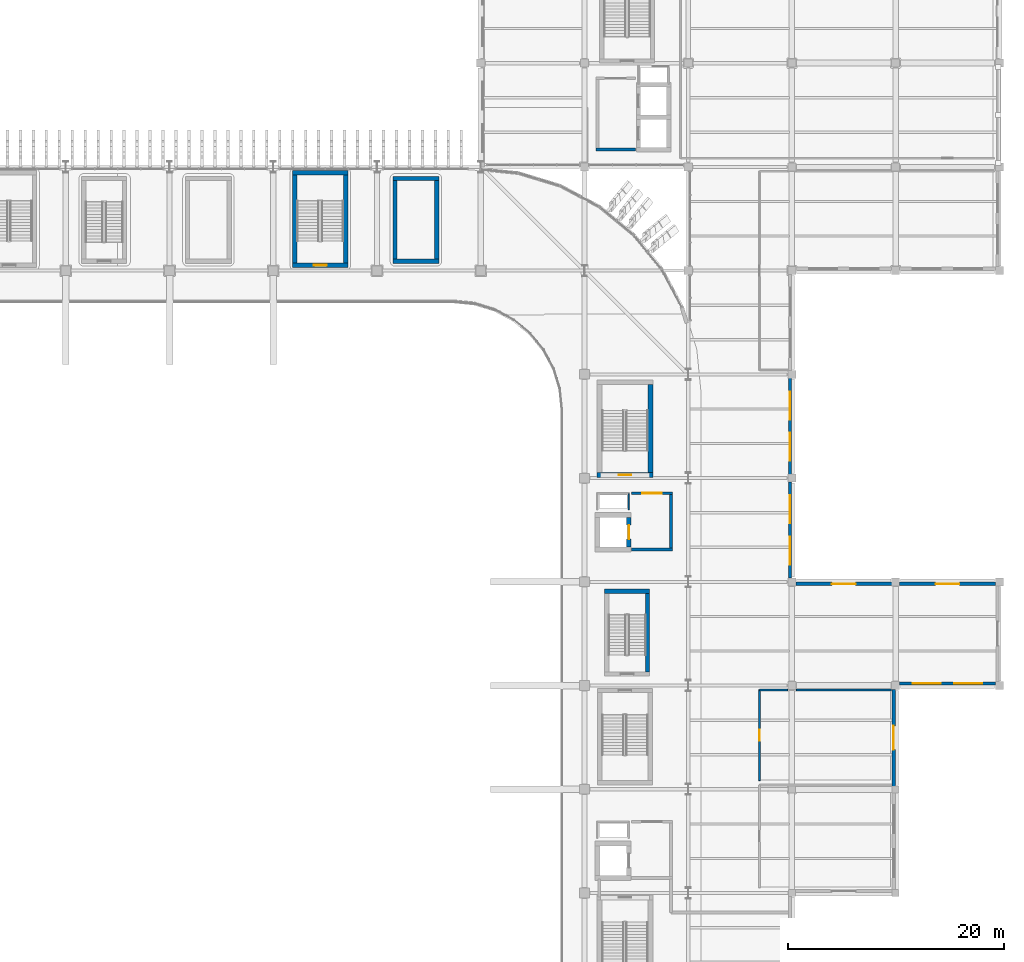
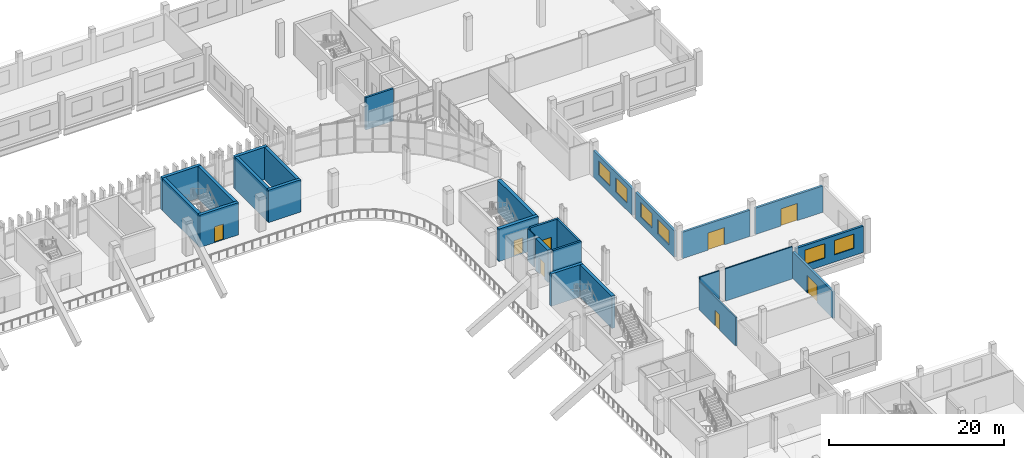
# One storey, part 56 of 100: 27 walls, 8 doors, 6 windows, 14 openings.
"""IFC4 building model written with IfcOpenShell, lengths in metres."""

from ifc_helpers import new_model, si_unit, direction, frame, frame_2d, origin, place, context, subcontext, project, spatial, rectangle, extrude, material, layer, layer_set, type_object, element, fill, save


model = new_model("IFC4")

# Units and contexts
model_context = context("Model", 3, precision=1e-05, world=origin(), true_north=direction((0.0, 1.0)))
body_context = subcontext(model_context, "Body", "Model", "MODEL_VIEW")
ifc_project = project(units=[si_unit("LENGTHUNIT", "METRE"), si_unit("AREAUNIT", "SQUARE_METRE"), si_unit("VOLUMEUNIT", "CUBIC_METRE"), si_unit("PLANEANGLEUNIT", "RADIAN"), si_unit("MASSUNIT", "GRAM", prefix="KILO")], contexts=[model_context])

# Site, building, storey
site_placement = place(None, origin())
site = spatial("IfcSite", under=ifc_project, at=site_placement, CompositionType="ELEMENT")
building_placement = place(site_placement, origin())
building = spatial("IfcBuilding", under=site, at=building_placement, Name="Caelomonte Colonnade Arena", CompositionType="ELEMENT")
storey_placement = place(building_placement, origin())
storey = spatial("IfcBuildingStorey", under=building, at=storey_placement, Name="L00", CompositionType="ELEMENT", Elevation=0.0)

# Wall, opening, door
ifc_material_1 = material(Name="Precast concrete C40/50", Category="concrete")
ifc_layer_1 = layer(ifc_material_1, 0.2900390625)
ifc_layer_set_1 = layer_set([ifc_layer_1], Name="Precast concrete C40/50")
wall_type_1 = type_object("IfcWallType", Name="ENV-WL-EXT29", PredefinedType="SOLIDWALL", material=ifc_layer_set_1)
wall_1_placement = place(storey_placement, frame((182.219970703125, 57.60009765625, 0.0), z_axis=(0.0, 0.0, 1.0), x_axis=(0.0, 1.0, 0.0)))
wall_1 = element("IfcWall", 1, at=wall_1_placement, inside=storey, type_object=wall_type_1, Name="L00 exterior wall EW-L00-0138", PredefinedType="SOLIDWALL", context=body_context, shape_type="SweptSolid", body=[
    extrude(rectangle(XDim=9.244873046875, YDim=0.2900390625, at=frame_2d((4.62255859375, 0.0))), origin(), (0.0, 0.0, 1.0), 3.699951171875),
])
opening_1_placement = place(wall_1_placement, frame((5.874755859375, 0.0, 0.0), z_axis=(0.0, 0.0, 1.0), x_axis=(-1.0, 0.0, 0.0)))
opening_1 = element("IfcOpeningElement", 2, at=opening_1_placement, cuts=wall_1, Name="Opening G17", PredefinedType="OPENING", context=body_context, shape_type="SweptSolid", body=[
    extrude(rectangle(XDim=2.199951171875, YDim=2.39990234375, at=frame_2d((1.10009765625, 1.199951171875))), frame((0.0, 0.155029296875, 0.0), z_axis=(0.0, -1.0, 0.0), x_axis=(1.0, 0.0, 0.0)), (0.0, 0.0, 1.0), 0.31005859375),
])
ifc_material_2 = material(Name="Painted galvanized hollow metal")
door_type_1 = type_object("IfcDoorType", Name="ENV-DR-G2", OperationType="DOUBLE_DOOR_SINGLE_SWING", PredefinedType="DOOR", material=ifc_material_2)
door_1_placement = place(opening_1_placement, origin())
door_1 = element("IfcDoor", 3, at=door_1_placement, inside=storey, type_object=door_type_1, Name="Pedestrian exit gate G17", OperationType="DOUBLE_DOOR_SINGLE_SWING", OverallHeight=2.39990234375, OverallWidth=2.199951171875, PredefinedType="DOOR", context=body_context, shape_type="SweptSolid", body=[
    extrude(rectangle(XDim=2.199951171875, YDim=2.39990234375, at=frame_2d((1.10009765625, 1.199951171875))), frame((0.0, 0.02490234375, 0.0), z_axis=(0.0, -1.0, 0.0), x_axis=(1.0, 0.0, 0.0)), (0.0, 0.0, 1.0), 0.050048828125),
])
fill(opening_1, door_1)

# Wall, openings, windows
wall_2_placement = place(storey_placement, frame((182.7548828125, 67.3798828125, 0.0), z_axis=(0.0, 0.0, 1.0), x_axis=(1.0, 0.0, 0.0)))
wall_2 = element("IfcWall", 4, at=wall_2_placement, inside=storey, type_object=wall_type_1, Name="L00 exterior wall EW-L00-0139", PredefinedType="SOLIDWALL", context=body_context, shape_type="SweptSolid", body=[
    extrude(rectangle(XDim=8.89013671875, YDim=0.2900390625, at=frame_2d((4.445068359375, 0.0))), origin(), (0.0, 0.0, 1.0), 3.664306640625),
])
opening_2_placement = place(wall_2_placement, frame((3.830078125, 0.0, 1.0), z_axis=(0.0, 0.0, 1.0), x_axis=(-1.0, 0.0, 0.0)))
opening_2 = element("IfcOpeningElement", 5, at=opening_2_placement, cuts=wall_2, Name="Opening WN-10", PredefinedType="OPENING", context=body_context, shape_type="SweptSolid", body=[
    extrude(rectangle(XDim=2.60009765625, YDim=2.0, at=frame_2d((1.300048828125, 1.0))), frame((0.0, 0.155029296875, 0.0), z_axis=(0.0, -1.0, 0.0), x_axis=(1.0, 0.0, 0.0)), (0.0, 0.0, 1.0), 0.31005859375),
])
opening_3_placement = place(wall_2_placement, frame((7.66015625, 0.0, 1.0), z_axis=(0.0, 0.0, 1.0), x_axis=(-1.0, 0.0, 0.0)))
opening_3 = element("IfcOpeningElement", 6, at=opening_3_placement, cuts=wall_2, Name="Opening WN-10", PredefinedType="OPENING", context=body_context, shape_type="SweptSolid", body=[
    extrude(rectangle(XDim=2.60009765625, YDim=2.0, at=frame_2d((1.300048828125, 1.0))), frame((0.0, 0.155029296875, 0.0), z_axis=(0.0, -1.0, 0.0), x_axis=(1.0, 0.0, 0.0)), (0.0, 0.0, 1.0), 0.31005859375),
])
ifc_material_3 = material(Name="Solar-control bronze low-E double glazing", Category="glass")
window_type = type_object("IfcWindowType", Name="ENV-WN-V4G", PartitioningType="TRIPLE_PANEL_VERTICAL", PredefinedType="WINDOW", material=ifc_material_3)
window_1_placement = place(opening_2_placement, origin())
window_1 = element("IfcWindow", 7, at=window_1_placement, inside=storey, type_object=window_type, Name="L00 facade window 7", OverallHeight=2.0, OverallWidth=2.60009765625, PartitioningType="SINGLE_PANEL", PredefinedType="WINDOW", context=body_context, shape_type="SweptSolid", body=[
    extrude(rectangle(XDim=2.60009765625, YDim=2.0, at=frame_2d((1.300048828125, 1.0))), frame((0.0, 0.030029296875, 0.0), z_axis=(0.0, -1.0, 0.0), x_axis=(1.0, 0.0, 0.0)), (0.0, 0.0, 1.0), 0.06005859375),
])
fill(opening_2, window_1)
window_2_placement = place(opening_3_placement, origin())
window_2 = element("IfcWindow", 8, at=window_2_placement, inside=storey, type_object=window_type, Name="L00 facade window 8", OverallHeight=2.0, OverallWidth=2.60009765625, PartitioningType="SINGLE_PANEL", PredefinedType="WINDOW", context=body_context, shape_type="SweptSolid", body=[
    extrude(rectangle(XDim=2.60009765625, YDim=2.0, at=frame_2d((1.300048828125, 1.0))), frame((0.0, 0.030029296875, 0.0), z_axis=(0.0, -1.0, 0.0), x_axis=(1.0, 0.0, 0.0)), (0.0, 0.0, 1.0), 0.06005859375),
])
fill(opening_3, window_2)

# Wall, opening, door
wall_3_placement = place(storey_placement, frame((191.64501953125, 76.6201171875, 0.0), z_axis=(0.0, 0.0, 1.0), x_axis=(-1.0, 0.0, 0.0)))
wall_3 = element("IfcWall", 9, at=wall_3_placement, inside=storey, type_object=wall_type_1, Name="L00 exterior wall EW-L00-0141", PredefinedType="SOLIDWALL", context=body_context, shape_type="SweptSolid", body=[
    extrude(rectangle(XDim=8.89013671875, YDim=0.2900390625, at=frame_2d((4.445068359375, 0.0))), origin(), (0.0, 0.0, 1.0), 3.664306640625),
])
opening_4_placement = place(wall_3_placement, frame((5.544921875, 0.0, 0.0), z_axis=(0.0, 0.0, 1.0), x_axis=(-1.0, 0.0, 0.0)))
opening_4 = element("IfcOpeningElement", 10, at=opening_4_placement, cuts=wall_3, Name="Opening G19", PredefinedType="OPENING", context=body_context, shape_type="SweptSolid", body=[
    extrude(rectangle(XDim=2.199951171875, YDim=2.39990234375, at=frame_2d((1.10009765625, 1.199951171875))), frame((0.0, 0.155029296875, 0.0), z_axis=(0.0, -1.0, 0.0), x_axis=(1.0, 0.0, 0.0)), (0.0, 0.0, 1.0), 0.31005859375),
])
door_2_placement = place(opening_4_placement, origin())
door_2 = element("IfcDoor", 11, at=door_2_placement, inside=storey, type_object=door_type_1, Name="Pedestrian exit gate G19", OperationType="DOUBLE_DOOR_SINGLE_SWING", OverallHeight=2.39990234375, OverallWidth=2.199951171875, PredefinedType="DOOR", context=body_context, shape_type="SweptSolid", body=[
    extrude(rectangle(XDim=2.199951171875, YDim=2.39990234375, at=frame_2d((1.10009765625, 1.199951171875))), frame((0.0, 0.02490234375, 0.0), z_axis=(0.0, -1.0, 0.0), x_axis=(1.0, 0.0, 0.0)), (0.0, 0.0, 1.0), 0.050048828125),
])
fill(opening_4, door_2)

wall_4_placement = place(storey_placement, frame((182.044921875, 76.6201171875, 0.0), z_axis=(0.0, 0.0, 1.0), x_axis=(-1.0, 0.0, 0.0)))
wall_4 = element("IfcWall", 12, at=wall_4_placement, inside=storey, type_object=wall_type_1, Name="L00 exterior wall EW-L00-0142", PredefinedType="SOLIDWALL", context=body_context, shape_type="SweptSolid", body=[
    extrude(rectangle(XDim=8.889892578125, YDim=0.2900390625, at=frame_2d((4.44482421875, 0.0))), origin(), (0.0, 0.0, 1.0), 3.664306640625),
])
opening_5_placement = place(wall_4_placement, frame((5.544921875, 0.0, 0.0), z_axis=(0.0, 0.0, 1.0), x_axis=(-1.0, 0.0, 0.0)))
opening_5 = element("IfcOpeningElement", 13, at=opening_5_placement, cuts=wall_4, Name="Opening G20", PredefinedType="OPENING", context=body_context, shape_type="SweptSolid", body=[
    extrude(rectangle(XDim=2.199951171875, YDim=2.39990234375, at=frame_2d((1.10009765625, 1.199951171875))), frame((0.0, 0.155029296875, 0.0), z_axis=(0.0, -1.0, 0.0), x_axis=(1.0, 0.0, 0.0)), (0.0, 0.0, 1.0), 0.31005859375),
])
door_3_placement = place(opening_5_placement, origin())
door_3 = element("IfcDoor", 14, at=door_3_placement, inside=storey, type_object=door_type_1, Name="Pedestrian exit gate G20", OperationType="DOUBLE_DOOR_SINGLE_SWING", OverallHeight=2.39990234375, OverallWidth=2.199951171875, PredefinedType="DOOR", context=body_context, shape_type="SweptSolid", body=[
    extrude(rectangle(XDim=2.199951171875, YDim=2.39990234375, at=frame_2d((1.10009765625, 1.199951171875))), frame((0.0, 0.02490234375, 0.0), z_axis=(0.0, -1.0, 0.0), x_axis=(1.0, 0.0, 0.0)), (0.0, 0.0, 1.0), 0.050048828125),
])
fill(opening_5, door_3)

# Wall, openings, windows
wall_5_placement = place(storey_placement, frame((172.6201171875, 77.155029296875, 0.0), z_axis=(0.0, 0.0, 1.0), x_axis=(0.0, 1.0, 0.0)))
wall_5 = element("IfcWall", 15, at=wall_5_placement, inside=storey, type_object=wall_type_1, Name="L00 exterior wall EW-L00-0143", PredefinedType="SOLIDWALL", context=body_context, shape_type="SweptSolid", body=[
    extrude(rectangle(XDim=8.889892578125, YDim=0.2900390625, at=frame_2d((4.44482421875, 0.0))), origin(), (0.0, 0.0, 1.0), 3.699951171875),
])
opening_6_placement = place(wall_5_placement, frame((3.830078125, 0.0, 1.0), z_axis=(0.0, 0.0, 1.0), x_axis=(-1.0, 0.0, 0.0)))
opening_6 = element("IfcOpeningElement", 16, at=opening_6_placement, cuts=wall_5, Name="Opening WN-10", PredefinedType="OPENING", context=body_context, shape_type="SweptSolid", body=[
    extrude(rectangle(XDim=2.60009765625, YDim=2.0, at=frame_2d((1.300048828125, 1.0))), frame((0.0, 0.155029296875, 0.0), z_axis=(0.0, -1.0, 0.0), x_axis=(1.0, 0.0, 0.0)), (0.0, 0.0, 1.0), 0.31005859375),
])
opening_7_placement = place(wall_5_placement, frame((7.66015625, 0.0, 1.0), z_axis=(0.0, 0.0, 1.0), x_axis=(-1.0, 0.0, 0.0)))
opening_7 = element("IfcOpeningElement", 17, at=opening_7_placement, cuts=wall_5, Name="Opening WN-10", PredefinedType="OPENING", context=body_context, shape_type="SweptSolid", body=[
    extrude(rectangle(XDim=2.60009765625, YDim=2.0, at=frame_2d((1.300048828125, 1.0))), frame((0.0, 0.155029296875, 0.0), z_axis=(0.0, -1.0, 0.0), x_axis=(1.0, 0.0, 0.0)), (0.0, 0.0, 1.0), 0.31005859375),
])
window_3_placement = place(opening_6_placement, origin())
window_3 = element("IfcWindow", 18, at=window_3_placement, inside=storey, type_object=window_type, Name="L00 facade window 9", OverallHeight=2.0, OverallWidth=2.60009765625, PartitioningType="SINGLE_PANEL", PredefinedType="WINDOW", context=body_context, shape_type="SweptSolid", body=[
    extrude(rectangle(XDim=2.60009765625, YDim=2.0, at=frame_2d((1.300048828125, 1.0))), frame((0.0, 0.030029296875, 0.0), z_axis=(0.0, -1.0, 0.0), x_axis=(1.0, 0.0, 0.0)), (0.0, 0.0, 1.0), 0.06005859375),
])
fill(opening_6, window_3)
window_4_placement = place(opening_7_placement, origin())
window_4 = element("IfcWindow", 19, at=window_4_placement, inside=storey, type_object=window_type, Name="L00 facade window 10", OverallHeight=2.0, OverallWidth=2.60009765625, PartitioningType="SINGLE_PANEL", PredefinedType="WINDOW", context=body_context, shape_type="SweptSolid", body=[
    extrude(rectangle(XDim=2.60009765625, YDim=2.0, at=frame_2d((1.300048828125, 1.0))), frame((0.0, 0.030029296875, 0.0), z_axis=(0.0, -1.0, 0.0), x_axis=(1.0, 0.0, 0.0)), (0.0, 0.0, 1.0), 0.06005859375),
])
fill(opening_7, window_4)

wall_6_placement = place(storey_placement, frame((172.6201171875, 86.7548828125, 0.0), z_axis=(0.0, 0.0, 1.0), x_axis=(0.0, 1.0, 0.0)))
wall_6 = element("IfcWall", 20, at=wall_6_placement, inside=storey, type_object=wall_type_1, Name="L00 exterior wall EW-L00-0144", PredefinedType="SOLIDWALL", context=body_context, shape_type="SweptSolid", body=[
    extrude(rectangle(XDim=8.89013671875, YDim=0.2900390625, at=frame_2d((4.445068359375, 0.0))), origin(), (0.0, 0.0, 1.0), 3.699951171875),
])
opening_8_placement = place(wall_6_placement, frame((3.830078125, 0.0, 1.0), z_axis=(0.0, 0.0, 1.0), x_axis=(-1.0, 0.0, 0.0)))
opening_8 = element("IfcOpeningElement", 21, at=opening_8_placement, cuts=wall_6, Name="Opening WN-10", PredefinedType="OPENING", context=body_context, shape_type="SweptSolid", body=[
    extrude(rectangle(XDim=2.60009765625, YDim=2.0, at=frame_2d((1.300048828125, 1.0))), frame((0.0, 0.155029296875, 0.0), z_axis=(0.0, -1.0, 0.0), x_axis=(1.0, 0.0, 0.0)), (0.0, 0.0, 1.0), 0.31005859375),
])
opening_9_placement = place(wall_6_placement, frame((7.66015625, 0.0, 1.0), z_axis=(0.0, 0.0, 1.0), x_axis=(-1.0, 0.0, 0.0)))
opening_9 = element("IfcOpeningElement", 22, at=opening_9_placement, cuts=wall_6, Name="Opening WN-10", PredefinedType="OPENING", context=body_context, shape_type="SweptSolid", body=[
    extrude(rectangle(XDim=2.60009765625, YDim=2.0, at=frame_2d((1.300048828125, 1.0))), frame((0.0, 0.155029296875, 0.0), z_axis=(0.0, -1.0, 0.0), x_axis=(1.0, 0.0, 0.0)), (0.0, 0.0, 1.0), 0.31005859375),
])
window_5_placement = place(opening_8_placement, origin())
window_5 = element("IfcWindow", 23, at=window_5_placement, inside=storey, type_object=window_type, Name="L00 facade window 11", OverallHeight=2.0, OverallWidth=2.60009765625, PartitioningType="SINGLE_PANEL", PredefinedType="WINDOW", context=body_context, shape_type="SweptSolid", body=[
    extrude(rectangle(XDim=2.60009765625, YDim=2.0, at=frame_2d((1.300048828125, 1.0))), frame((0.0, 0.030029296875, 0.0), z_axis=(0.0, -1.0, 0.0), x_axis=(1.0, 0.0, 0.0)), (0.0, 0.0, 1.0), 0.06005859375),
])
fill(opening_8, window_5)
window_6_placement = place(opening_9_placement, origin())
window_6 = element("IfcWindow", 24, at=window_6_placement, inside=storey, type_object=window_type, Name="L00 facade window 12", OverallHeight=2.0, OverallWidth=2.60009765625, PartitioningType="SINGLE_PANEL", PredefinedType="WINDOW", context=body_context, shape_type="SweptSolid", body=[
    extrude(rectangle(XDim=2.60009765625, YDim=2.0, at=frame_2d((1.300048828125, 1.0))), frame((0.0, 0.030029296875, 0.0), z_axis=(0.0, -1.0, 0.0), x_axis=(1.0, 0.0, 0.0)), (0.0, 0.0, 1.0), 0.06005859375),
])
fill(opening_9, window_6)

# Wall
ifc_material_4 = material(Name="Concrete C40/50", Category="concrete")
ifc_layer_2 = layer(ifc_material_4, 0.260009765625)
ifc_layer_set_2 = layer_set([ifc_layer_2], Name="Concrete C40/50")
wall_type_2 = type_object("IfcWallType", Name="INT-WL-FW26", PredefinedType="SOLIDWALL", material=ifc_layer_set_2)
wall_7_placement = place(storey_placement, frame((157.969970703125, 79.800048828125, 0.0), z_axis=(0.0, 0.0, 1.0), x_axis=(1.0, 0.0, 0.0)))
element("IfcWall", 25, at=wall_7_placement, inside=storey, type_object=wall_type_2, Name="FW-C3-LB L00 south enclosure wall", PredefinedType="SOLIDWALL", context=body_context, shape_type="SweptSolid", body=[
    extrude(rectangle(XDim=3.760009765625, YDim=0.260009765625, at=frame_2d((1.8798828125, 0.0))), origin(), (0.0, 0.0, 1.0), 4.5),
])

# Wall, opening, door
wall_8_placement = place(storey_placement, frame((161.72998046875, 85.0, 0.0), z_axis=(0.0, 0.0, 1.0), x_axis=(-1.0, 0.0, 0.0)))
wall_8 = element("IfcWall", 26, at=wall_8_placement, inside=storey, type_object=wall_type_2, Name="FW-C3-LB L00 north enclosure wall", PredefinedType="SOLIDWALL", context=body_context, shape_type="SweptSolid", body=[
    extrude(rectangle(XDim=3.760009765625, YDim=0.260009765625, at=frame_2d((1.8798828125, 0.0))), origin(), (0.0, 0.0, 1.0), 4.5),
])
opening_10_placement = place(wall_8_placement, frame((2.80517578125, 0.0, 0.0), z_axis=(0.0, 0.0, 1.0), x_axis=(-1.0, 0.0, 0.0)))
opening_10 = element("IfcOpeningElement", 27, at=opening_10_placement, cuts=wall_8, Name="Opening FD-2", PredefinedType="OPENING", context=body_context, shape_type="SweptSolid", body=[
    extrude(rectangle(XDim=1.85009765625, YDim=2.25, at=frame_2d((0.925048828125, 1.125))), frame((0.0, 0.139892578125, 0.0), z_axis=(0.0, -1.0, 0.0), x_axis=(1.0, 0.0, 0.0)), (0.0, 0.0, 1.0), 0.280029296875),
])
ifc_material_5 = material(Name="Fire-rated double steel door", Category="steel")
door_type_2 = type_object("IfcDoorType", Name="INT-DR-FD90B", OperationType="DOUBLE_DOOR_SINGLE_SWING", PredefinedType="DOOR", material=ifc_material_5)
door_4_placement = place(opening_10_placement, origin())
door_4 = element("IfcDoor", 28, at=door_4_placement, inside=storey, type_object=door_type_2, Name="Core C3 L00 lobby fire door", OperationType="DOUBLE_DOOR_SINGLE_SWING", OverallHeight=2.25, OverallWidth=1.85009765625, PredefinedType="DOOR", context=body_context, shape_type="SweptSolid", body=[
    extrude(rectangle(XDim=1.85009765625, YDim=2.25, at=frame_2d((0.925048828125, 1.125))), frame((0.0, 0.02490234375, 0.0), z_axis=(0.0, -1.0, 0.0), x_axis=(1.0, 0.0, 0.0)), (0.0, 0.0, 1.0), 0.050048828125),
])
fill(opening_10, door_4)

# Walls
wall_9_placement = place(storey_placement, frame((161.60009765625, 79.929931640625, 0.0), z_axis=(0.0, 0.0, 1.0), x_axis=(0.0, 1.0, 0.0)))
element("IfcWall", 29, at=wall_9_placement, inside=storey, type_object=wall_type_2, Name="FW-C3-LB L00 east enclosure wall", PredefinedType="SOLIDWALL", context=body_context, shape_type="SweptSolid", body=[
    extrude(rectangle(XDim=4.940185546875, YDim=0.260009765625, at=frame_2d((2.47021484375, 0.0))), origin(), (0.0, 0.0, 1.0), 4.5),
])
wall_10_placement = place(storey_placement, frame((154.669921875, 116.800048828125, 0.0), z_axis=(0.0, 0.0, 1.0), x_axis=(1.0, 0.0, 0.0)))
element("IfcWall", 30, at=wall_10_placement, inside=storey, type_object=wall_type_2, Name="FW-C6-LB L00 south enclosure wall", PredefinedType="SOLIDWALL", context=body_context, shape_type="SweptSolid", body=[
    extrude(rectangle(XDim=3.66015625, YDim=0.260009765625, at=frame_2d((1.830078125, 0.0))), origin(), (0.0, 0.0, 1.0), 4.5),
])
ifc_material_6 = material(Name="Service shaft lining partition")
ifc_layer_3 = layer(ifc_material_6, 0.10009765625)
ifc_layer_set_3 = layer_set([ifc_layer_3], Name="Service shaft lining partition")
wall_type_3 = type_object("IfcWallType", Name="INT-WL-PT10", PredefinedType="PARTITIONING", material=ifc_layer_set_3)
wall_11_placement = place(storey_placement, frame((157.699951171875, 83.449951171875, 0.0), z_axis=(0.0, 0.0, 1.0), x_axis=(0.0, 1.0, 0.0)))
element("IfcWall", 31, at=wall_11_placement, inside=storey, type_object=wall_type_3, Name="FW-C3-RS L00 east enclosure wall", PredefinedType="PARTITIONING", context=body_context, shape_type="SweptSolid", body=[
    extrude(rectangle(XDim=1.5, YDim=0.10009765625, at=frame_2d((0.75, 0.0))), origin(), (0.0, 0.0, 1.0), 4.5),
])
ifc_material_7 = material(Name="Moisture-resistant WC partition")
ifc_layer_4 = layer(ifc_material_7, 0.159912109375)
ifc_layer_set_4 = layer_set([ifc_layer_4], Name="Moisture-resistant WC partition")
wall_type_4 = type_object("IfcWallType", Name="INT-WL-PT16", PredefinedType="PARTITIONING", material=ifc_layer_set_4)
wall_12_placement = place(storey_placement, frame((169.800048828125, 66.800048828125, 0.0), z_axis=(0.0, 0.0, 1.0), x_axis=(1.0, 0.0, 0.0)))
element("IfcWall", 32, at=wall_12_placement, inside=storey, type_object=wall_type_4, Name="L00 Ground Accessible WC partition 76", PredefinedType="PARTITIONING", context=body_context, shape_type="SweptSolid", body=[
    extrude(rectangle(XDim=2.592529296875, YDim=0.159912109375, at=frame_2d((1.29638671875, 0.0))), origin(), (0.0, 0.0, 1.0), 4.5),
])
wall_13_placement = place(storey_placement, frame((173.207275390625, 66.800048828125, 0.0), z_axis=(0.0, 0.0, 1.0), x_axis=(1.0, 0.0, 0.0)))
element("IfcWall", 33, at=wall_13_placement, inside=storey, type_object=wall_type_4, Name="L00 Ground Accessible WC partition 77", PredefinedType="PARTITIONING", context=body_context, shape_type="SweptSolid", body=[
    extrude(rectangle(XDim=8.785400390625, YDim=0.159912109375, at=frame_2d((4.392578125, 0.0))), origin(), (0.0, 0.0, 1.0), 4.5),
])

# Wall, opening, door
wall_14_placement = place(storey_placement, frame((169.800048828125, 58.39990234375, 0.0), z_axis=(0.0, 0.0, 1.0), x_axis=(0.0, 1.0, 0.0)))
wall_14 = element("IfcWall", 34, at=wall_14_placement, inside=storey, type_object=wall_type_4, Name="L00 Ground Accessible WC partition 78", PredefinedType="PARTITIONING", context=body_context, shape_type="SweptSolid", body=[
    extrude(rectangle(XDim=8.400146484375, YDim=0.159912109375, at=frame_2d((4.2001953125, 0.0))), origin(), (0.0, 0.0, 1.0), 3.9716796875),
])
opening_11_placement = place(wall_14_placement, frame((3.68994140625, 0.0, 0.0), z_axis=(0.0, 0.0, 1.0), x_axis=(1.0, 0.0, 0.0)))
opening_11 = element("IfcOpeningElement", 35, at=opening_11_placement, cuts=wall_14, Name="Opening D-L00-024", PredefinedType="OPENING", context=body_context, shape_type="SweptSolid", body=[
    extrude(rectangle(XDim=1.02001953125, YDim=2.14990234375, at=frame_2d((0.510009765625, 1.074951171875))), frame((0.0, 0.08984375, 0.0), z_axis=(0.0, -1.0, 0.0), x_axis=(1.0, 0.0, 0.0)), (0.0, 0.0, 1.0), 0.179931640625),
])
ifc_material_8 = material(Name="Accessible WC outward-swing door")
door_type_3 = type_object("IfcDoorType", Name="INT-DR-AWC", OperationType="NOTDEFINED", PredefinedType="DOOR", material=ifc_material_8)
door_5_placement = place(opening_11_placement, origin())
door_5 = element("IfcDoor", 36, at=door_5_placement, inside=storey, type_object=door_type_3, Name="L00 Ground Accessible WC door D-L00-024", OperationType="SINGLE_SWING_LEFT", OverallHeight=2.14990234375, OverallWidth=1.02001953125, PredefinedType="DOOR", context=body_context, shape_type="SweptSolid", body=[
    extrude(rectangle(XDim=1.02001953125, YDim=2.14990234375, at=frame_2d((0.510009765625, 1.074951171875))), frame((0.0, 0.02490234375, 0.0), z_axis=(0.0, -1.0, 0.0), x_axis=(1.0, 0.0, 0.0)), (0.0, 0.0, 1.0), 0.050048828125),
])
fill(opening_11, door_5)

ifc_material_9 = material(Name="Concrete C50/60", Category="concrete")
ifc_layer_5 = layer(ifc_material_9, 0.39990234375)
ifc_layer_set_5 = layer_set([ifc_layer_5], Name="Concrete C50/60")
wall_type_5 = type_object("IfcWallType", Name="INT-WL-SH40", PredefinedType="SHEAR", material=ifc_layer_set_5)
wall_15_placement = place(storey_placement, frame((126.60009765625, 106.10009765625, 0.0), z_axis=(0.0, 0.0, 1.0), x_axis=(1.0, 0.0, 0.0)))
wall_15 = element("IfcWall", 37, at=wall_15_placement, inside=storey, type_object=wall_type_5, Name="CW-ST-16 L00 south enclosure wall", PredefinedType="SHEAR", context=body_context, shape_type="SweptSolid", body=[
    extrude(rectangle(XDim=5.099853515625, YDim=0.39990234375, at=frame_2d((2.5498046875, 0.0))), origin(), (0.0, 0.0, 1.0), 4.5),
])
opening_12_placement = place(wall_15_placement, frame((3.14990234375, 0.0, 0.0), z_axis=(0.0, 0.0, 1.0), x_axis=(-1.0, 0.0, 0.0)))
opening_12 = element("IfcOpeningElement", 38, at=opening_12_placement, cuts=wall_15, Name="Opening FD-1", PredefinedType="OPENING", context=body_context, shape_type="SweptSolid", body=[
    extrude(rectangle(XDim=1.199951171875, YDim=2.199951171875, at=frame_2d((0.60009765625, 1.10009765625))), frame((0.0, 0.2099609375, 0.0), z_axis=(0.0, -1.0, 0.0), x_axis=(1.0, 0.0, 0.0)), (0.0, 0.0, 1.0), 0.419921875),
])
ifc_material_10 = material(Name="Fire-rated steel door", Category="steel")
door_type_4 = type_object("IfcDoorType", Name="INT-DR-FD90A", OperationType="NOTDEFINED", PredefinedType="DOOR", material=ifc_material_10)
door_6_placement = place(opening_12_placement, origin())
door_6 = element("IfcDoor", 39, at=door_6_placement, inside=storey, type_object=door_type_4, Name="Protected exit stair ST-16 L00 fire door", OperationType="SINGLE_SWING_RIGHT", OverallHeight=2.199951171875, OverallWidth=1.199951171875, PredefinedType="DOOR", context=body_context, shape_type="SweptSolid", body=[
    extrude(rectangle(XDim=1.199951171875, YDim=2.199951171875, at=frame_2d((0.60009765625, 1.10009765625))), frame((0.0, 0.02490234375, 0.0), z_axis=(0.0, -1.0, 0.0), x_axis=(1.0, 0.0, 0.0)), (0.0, 0.0, 1.0), 0.050048828125),
])
fill(opening_12, door_6)

# Walls
wall_16_placement = place(storey_placement, frame((131.699951171875, 114.64990234375, 0.0), z_axis=(0.0, 0.0, 1.0), x_axis=(-1.0, 0.0, 0.0)))
element("IfcWall", 40, at=wall_16_placement, inside=storey, type_object=wall_type_5, Name="CW-ST-16 L00 north enclosure wall", PredefinedType="SHEAR", context=body_context, shape_type="SweptSolid", body=[
    extrude(rectangle(XDim=5.099853515625, YDim=0.39990234375, at=frame_2d((2.5498046875, 0.0))), origin(), (0.0, 0.0, 1.0), 4.5),
])
for number, where, z_axis, x_axis, name in (
    (41, (126.800048828125, 114.449951171875, 0.0), (0.0, 0.0, 1.0), (0.0, -1.0, 0.0), "CW-ST-16 L00 west enclosure wall"),
    (42, (131.5, 106.300048828125, 0.0), (0.0, 0.0, 1.0), (0.0, 1.0, 0.0), "CW-ST-16 L00 east enclosure wall"),
):
    element("IfcWall", number, at=place(storey_placement, frame(where, z_axis=z_axis, x_axis=x_axis)), inside=storey, type_object=wall_type_5, Name=name, PredefinedType="SHEAR", context=body_context, shape_type="SweptSolid", body=[
        extrude(rectangle(XDim=8.14990234375, YDim=0.39990234375, at=frame_2d((4.074951171875, 0.0))), origin(), (0.0, 0.0, 1.0), 4.5),
    ])
wall_17_placement = place(storey_placement, frame((159.6298828125, 75.929931640625, 0.0), z_axis=(0.0, 0.0, 1.0), x_axis=(-1.0, 0.0, 0.0)))
element("IfcWall", 43, at=wall_17_placement, inside=storey, type_object=wall_type_5, Name="CW-ST-V08 L00 north enclosure wall", PredefinedType="SHEAR", context=body_context, shape_type="SweptSolid", body=[
    extrude(rectangle(XDim=4.159912109375, YDim=0.39990234375, at=frame_2d((2.080078125, 0.0))), origin(), (0.0, 0.0, 1.0), 4.5),
])
wall_18_placement = place(storey_placement, frame((159.429931640625, 68.469970703125, 0.0), z_axis=(0.0, 0.0, 1.0), x_axis=(0.0, 1.0, 0.0)))
element("IfcWall", 44, at=wall_18_placement, inside=storey, type_object=wall_type_5, Name="CW-ST-V08 L00 east enclosure wall", PredefinedType="SHEAR", context=body_context, shape_type="SweptSolid", body=[
    extrude(rectangle(XDim=7.260009765625, YDim=0.39990234375, at=frame_2d((3.6298828125, 0.0))), origin(), (0.0, 0.0, 1.0), 4.5),
])
for number, where, z_axis, x_axis, name in (
    (45, (135.8701171875, 106.469970703125, 0.0), (0.0, 0.0, 1.0), (1.0, 0.0, 0.0), "CW-ST-V16 L00 south enclosure wall"),
    (46, (140.1298828125, 114.1298828125, 0.0), (0.0, 0.0, 1.0), (-1.0, 0.0, 0.0), "CW-ST-V16 L00 north enclosure wall"),
):
    element("IfcWall", number, at=place(storey_placement, frame(where, z_axis=z_axis, x_axis=x_axis)), inside=storey, type_object=wall_type_5, Name=name, PredefinedType="SHEAR", context=body_context, shape_type="SweptSolid", body=[
        extrude(rectangle(XDim=4.259765625, YDim=0.39990234375, at=frame_2d((2.1298828125, 0.0))), origin(), (0.0, 0.0, 1.0), 4.5),
    ])
for number, where, z_axis, x_axis, name in (
    (47, (136.070068359375, 113.929931640625, 0.0), (0.0, 0.0, 1.0), (0.0, -1.0, 0.0), "CW-ST-V16 L00 west enclosure wall"),
    (48, (139.929931640625, 106.669921875, 0.0), (0.0, 0.0, 1.0), (0.0, 1.0, 0.0), "CW-ST-V16 L00 east enclosure wall"),
):
    element("IfcWall", number, at=place(storey_placement, frame(where, z_axis=z_axis, x_axis=x_axis)), inside=storey, type_object=wall_type_5, Name=name, PredefinedType="SHEAR", context=body_context, shape_type="SweptSolid", body=[
        extrude(rectangle(XDim=7.260009765625, YDim=0.39990234375, at=frame_2d((3.6298828125, 0.0))), origin(), (0.0, 0.0, 1.0), 4.5),
    ])

# Wall, opening, door
ifc_layer_6 = layer(ifc_material_9, 0.449951171875)
ifc_layer_set_6 = layer_set([ifc_layer_6], Name="Concrete C50/60")
wall_type_6 = type_object("IfcWallType", Name="INT-WL-SH45", PredefinedType="SHEAR", material=ifc_layer_set_6)
wall_19_placement = place(storey_placement, frame((154.75, 86.675048828125, 0.0), z_axis=(0.0, 0.0, 1.0), x_axis=(1.0, 0.0, 0.0)))
wall_19 = element("IfcWall", 49, at=wall_19_placement, inside=storey, type_object=wall_type_6, Name="CW-C3-ST L00 south enclosure wall", PredefinedType="SHEAR", context=body_context, shape_type="SweptSolid", body=[
    extrude(rectangle(XDim=5.199951171875, YDim=0.449951171875, at=frame_2d((2.60009765625, 0.0))), origin(), (0.0, 0.0, 1.0), 4.5),
])
opening_13_placement = place(wall_19_placement, frame((3.199951171875, 0.0, 0.0), z_axis=(0.0, 0.0, 1.0), x_axis=(-1.0, 0.0, 0.0)))
opening_13 = element("IfcOpeningElement", 50, at=opening_13_placement, cuts=wall_19, Name="Opening FD-1", PredefinedType="OPENING", context=body_context, shape_type="SweptSolid", body=[
    extrude(rectangle(XDim=1.199951171875, YDim=2.199951171875, at=frame_2d((0.60009765625, 1.10009765625))), frame((0.0, 0.23486328125, 0.0), z_axis=(0.0, -1.0, 0.0), x_axis=(1.0, 0.0, 0.0)), (0.0, 0.0, 1.0), 0.469970703125),
])
door_7_placement = place(opening_13_placement, origin())
door_7 = element("IfcDoor", 51, at=door_7_placement, inside=storey, type_object=door_type_4, Name="Core C3 L00 exit stair fire door", OperationType="SINGLE_SWING_RIGHT", OverallHeight=2.199951171875, OverallWidth=1.199951171875, PredefinedType="DOOR", context=body_context, shape_type="SweptSolid", body=[
    extrude(rectangle(XDim=1.199951171875, YDim=2.199951171875, at=frame_2d((0.60009765625, 1.10009765625))), frame((0.0, 0.02490234375, 0.0), z_axis=(0.0, -1.0, 0.0), x_axis=(1.0, 0.0, 0.0)), (0.0, 0.0, 1.0), 0.050048828125),
])
fill(opening_13, door_7)

# Wall
wall_20_placement = place(storey_placement, frame((159.72509765625, 86.89990234375, 0.0), z_axis=(0.0, 0.0, 1.0), x_axis=(0.0, 1.0, 0.0)))
element("IfcWall", 52, at=wall_20_placement, inside=storey, type_object=wall_type_6, Name="CW-C3-ST L00 east enclosure wall", PredefinedType="SHEAR", context=body_context, shape_type="SweptSolid", body=[
    extrude(rectangle(XDim=8.150146484375, YDim=0.449951171875, at=frame_2d((4.0751953125, 0.0))), origin(), (0.0, 0.0, 1.0), 4.5),
])

# Wall, opening, door
wall_21_placement = place(storey_placement, frame((157.699951171875, 80.02490234375, 0.0), z_axis=(0.0, 0.0, 1.0), x_axis=(0.0, 1.0, 0.0)))
wall_21 = element("IfcWall", 53, at=wall_21_placement, inside=storey, type_object=wall_type_6, Name="CW-C3-LF L00 east enclosure wall", PredefinedType="SHEAR", context=body_context, shape_type="SweptSolid", body=[
    extrude(rectangle(XDim=2.75, YDim=0.449951171875, at=frame_2d((1.375, 0.0))), origin(), (0.0, 0.0, 1.0), 4.5),
])
opening_14_placement = place(wall_21_placement, frame((0.72509765625, 0.0, 0.0), z_axis=(0.0, 0.0, 1.0), x_axis=(1.0, 0.0, 0.0)))
opening_14 = element("IfcOpeningElement", 54, at=opening_14_placement, cuts=wall_21, Name="Opening LD-FL-03-L00", PredefinedType="OPENING", context=body_context, shape_type="SweptSolid", body=[
    extrude(rectangle(XDim=1.300048828125, YDim=2.25, at=frame_2d((0.64990234375, 1.125))), frame((0.0, 0.23486328125, 0.0), z_axis=(0.0, -1.0, 0.0), x_axis=(1.0, 0.0, 0.0)), (0.0, 0.0, 1.0), 0.469970703125),
])
ifc_material_11 = material(Name="Firefighting lift landing door")
door_type_5 = type_object("IfcDoorType", Name="INT-DR-LD2", OperationType="SLIDING_TO_RIGHT", PredefinedType="DOOR", material=ifc_material_11)
door_8_placement = place(opening_14_placement, origin())
door_8 = element("IfcDoor", 55, at=door_8_placement, inside=storey, type_object=door_type_5, Name="Lift FL-03 L00 sliding landing door", OperationType="SLIDING_TO_RIGHT", OverallHeight=2.25, OverallWidth=1.300048828125, PredefinedType="DOOR", context=body_context, shape_type="SweptSolid", body=[
    extrude(rectangle(XDim=1.300048828125, YDim=2.25, at=frame_2d((0.64990234375, 1.125))), frame((0.0, 0.02490234375, 0.0), z_axis=(0.0, -1.0, 0.0), x_axis=(1.0, 0.0, 0.0)), (0.0, 0.0, 1.0), 0.050048828125),
])
fill(opening_14, door_8)

save(model, "model.ifc")
